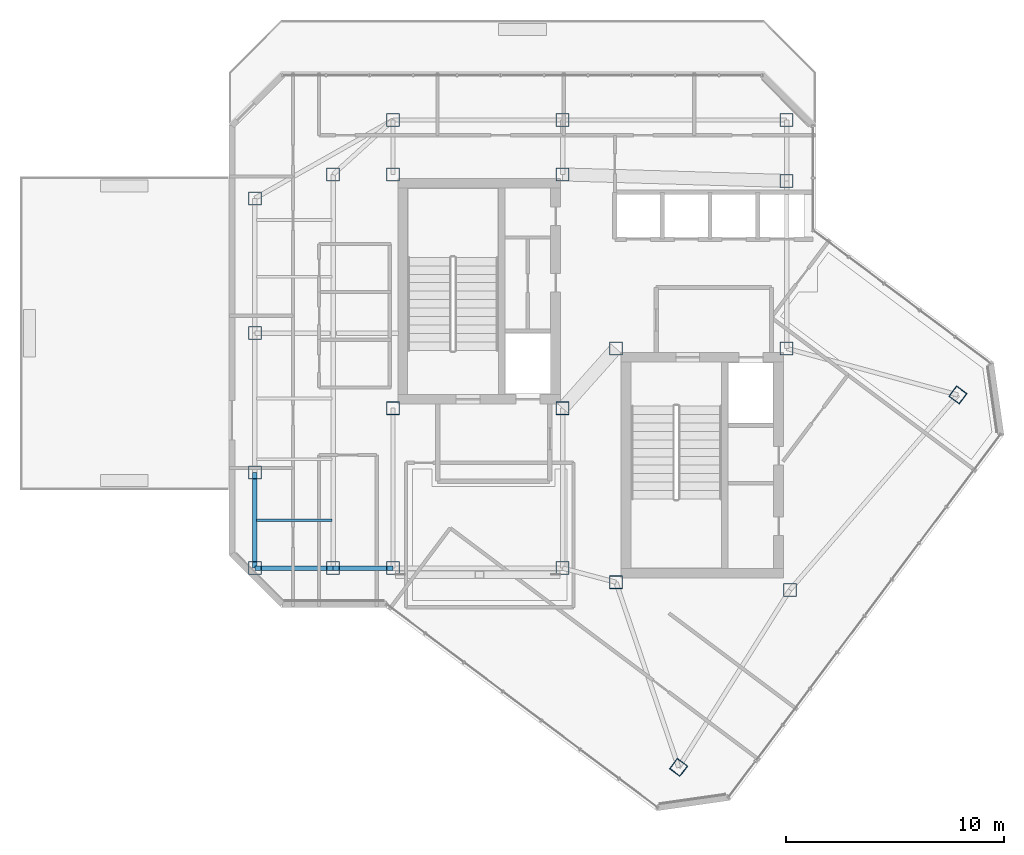
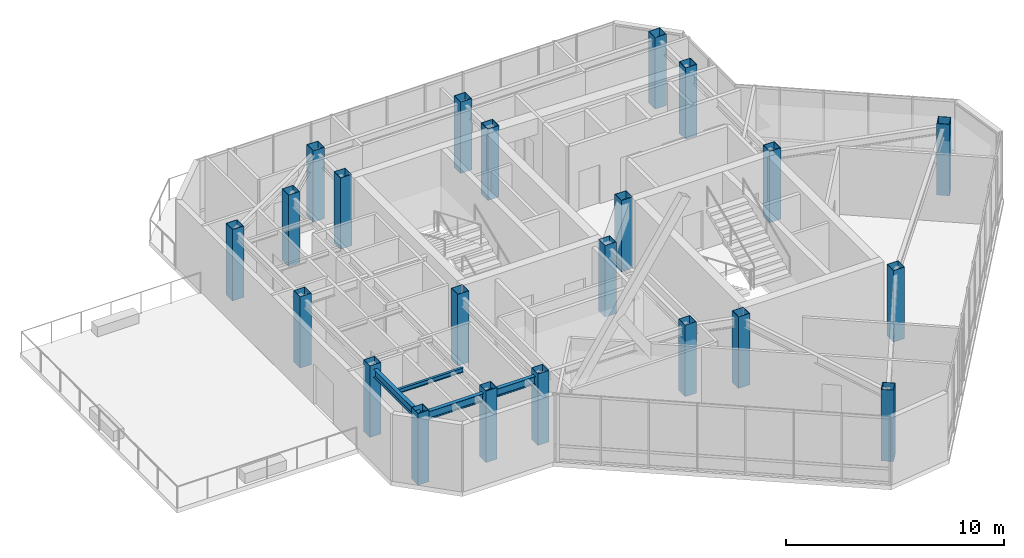
# One storey, part 1 of 21: 22 columns, 4 beams.
"""IFC4 building model written with IfcOpenShell, lengths in metres."""

from ifc_helpers import new_model, si_unit, direction, frame, origin, origin_2d, place, context, subcontext, project, spatial, hollow_rectangle, i_section, extrude, material, material_profile, profile_set, type_object, element, save


model = new_model("IFC4")

# Units and contexts
model_context = context("Model", 3, precision=1e-05, world=origin(), true_north=direction((0.0, 1.0)))
body_context = subcontext(model_context, "Body", "Model", "MODEL_VIEW")
ifc_project = project(units=[si_unit("LENGTHUNIT", "METRE"), si_unit("AREAUNIT", "SQUARE_METRE"), si_unit("VOLUMEUNIT", "CUBIC_METRE"), si_unit("PLANEANGLEUNIT", "RADIAN"), si_unit("MASSUNIT", "GRAM", prefix="KILO")], contexts=[model_context])

# Site, building, storey
site_placement = place(None, origin())
site = spatial("IfcSite", under=ifc_project, at=site_placement, CompositionType="ELEMENT")
building_placement = place(site_placement, origin())
building = spatial("IfcBuilding", under=site, at=building_placement, Name="Hatsunagi Terrace Concourse", CompositionType="ELEMENT")
storey_placement = place(building_placement, frame((0.0, 0.0, 265.949951171875)))
storey = spatial("IfcBuildingStorey", under=building, at=storey_placement, Name="L70", CompositionType="ELEMENT", Elevation=265.949951171875)

# Columns
ifc_material_1 = material(Name="Steel BCP325T", Category="steel")
ifc_material_profile_1 = material_profile(ifc_material_1, hollow_rectangle(XDim=0.60009765625, YDim=0.60009765625, WallThickness=0.02490234375, at=origin_2d()), Name="BCP-600x600x25")
ifc_profile_set_1 = profile_set([ifc_material_profile_1], Name="Steel BCP325T")
column_type = type_object("IfcColumnType", Name="CrownBoxColumn_600x600x25", PredefinedType="COLUMN", material=ifc_profile_set_1)
for number, where, z_axis, x_axis, name in (
    (1, (25.550048828125, 32.550048828125, 0.0), (0.0, 0.0, 1.0), (1.0, 0.0, 0.0), "Column C-10 L70-CASW"),
    (2, (33.35009765625, 32.550048828125, 0.0), (0.0, 0.0, 1.0), (1.0, 0.0, 0.0), "Column C-10 L70-CASE"),
    (3, (25.550048828125, 43.300048828125, 0.0), (0.0, 0.0, 1.0), (1.0, 0.0, 0.0), "Column C-10 L70-CANW"),
    (4, (33.35009765625, 43.300048828125, 0.0), (0.0, 0.0, 1.0), (1.0, 0.0, 0.0), "Column C-10 L70-CANE"),
    (5, (35.800048828125, 24.550048828125, 0.0), (0.0, 0.0, 1.0), (1.0, 0.0, 0.0), "Column C-10 L70-CBSW"),
    (6, (43.800048828125, 24.199951171875, 0.0), (0.0, 0.0, 1.0), (1.0, 0.0, 0.0), "Column C-10 L70-CBSE"),
    (7, (35.800048828125, 35.300048828125, 0.0), (0.0, 0.0, 1.0), (1.0, 0.0, 0.0), "Column C-10 L70-CBNW"),
    (8, (43.64990234375, 35.300048828125, 0.0), (0.0, 0.0, 1.0), (1.0, 0.0, 0.0), "Column C-10 L70-CBNE"),
    (9, (25.550048828125, 25.199951171875, 0.0), (0.0, 0.0, 1.0), (1.0, 0.0, 0.0), "Column C-10 L70-K1"),
    (10, (33.35009765625, 25.199951171875, 0.0), (0.0, 0.0, 1.0), (1.0, 0.0, 0.0), "Column C-10 L70-K2"),
    (11, (43.64990234375, 43.0, 0.0), (0.0, 0.0, 1.0), (1.0, 0.0, 0.0), "Column C-10 L70-K3"),
    (12, (25.550048828125, 45.800048828125, 0.0), (0.0, 0.0, 1.0), (1.0, 0.0, 0.0), "Column C-10 L70-CN1"),
    (13, (33.35009765625, 45.800048828125, 0.0), (0.0, 0.0, 1.0), (1.0, 0.0, 0.0), "Column C-10 L70-CN2"),
    (14, (43.64990234375, 45.800048828125, 0.0), (0.0, 0.0, 1.0), (1.0, 0.0, 0.0), "Column C-10 L70-CN3"),
    (15, (19.199951171875, 25.199951171875, 0.0), (0.0, 0.0, 1.0), (1.0, 0.0, 0.0), "Column C-10 L70-WS3"),
    (16, (19.199951171875, 29.60009765625, 0.0), (0.0, 0.0, 1.0), (1.0, 0.0, 0.0), "Column C-10 L70-WR1"),
    (17, (19.199951171875, 42.199951171875, 0.0), (0.0, 0.0, 1.0), (1.0, 0.0, 0.0), "Column C-10 L70-WR2"),
    (18, (22.800048828125, 25.199951171875, 0.0), (0.0, 0.0, 1.0), (1.0, 0.0, 0.0), "Column C-10 L70-CW1"),
    (19, (22.800048828125, 43.300048828125, 0.0), (0.0, 0.0, 1.0), (1.0, 0.0, 0.0), "Column C-10 L70-CW2"),
    (20, (19.199951171875, 36.0, 0.0), (0.0, 0.0, 1.0), (1.0, 0.0, 0.0), "Column C-10 L70-WT2"),
    (21, (38.679931640625, 16.0400390625, 0.0), (0.0, 0.0, 1.0), (0.799999996291, -0.600000004945, 0.0), "Column C-10 L70-SES1"),
    (22, (51.52001953125, 33.159912109375, 0.0), (0.0, 0.0, 1.0), (0.799999996291, -0.600000004945, 0.0), "Column C-10 L70-SEN1"),
):
    element("IfcColumn", number, at=place(storey_placement, frame(where, z_axis=z_axis, x_axis=x_axis)), inside=storey, type_object=column_type, Name=name, PredefinedType="COLUMN", context=body_context, shape_type="SweptSolid", body=[
        extrude(hollow_rectangle(XDim=0.60009765625, YDim=0.60009765625, WallThickness=0.02490234375, at=origin_2d()), origin(), (0.0, 0.0, 1.0), 4.0),
    ])

# Beams
ifc_material_2 = material(Name="Steel SN490B", Category="steel")
ifc_material_profile_2 = material_profile(ifc_material_2, i_section(OverallWidth=0.125, OverallDepth=0.25, WebThickness=0.006103515625, FlangeThickness=0.009033203125, FilletRadius=0.008056640625, at=origin_2d()), Name="H-250x125x6x9")
ifc_profile_set_2 = profile_set([ifc_material_profile_2], Name="Steel SN490B")
beam_type_1 = type_object("IfcBeamType", Name="CrownJoist_H_250x125", PredefinedType="JOIST", material=ifc_profile_set_2)
beam_1_placement = place(storey_placement, frame((19.264892578125, 27.39990234375, 3.625), z_axis=(1.0, 0.0, 0.0), x_axis=(0.0, 1.0, 0.0)))
element("IfcBeam", 23, at=beam_1_placement, inside=storey, type_object=beam_type_1, Name="Beam J-04 J-L70-W-19-274", PredefinedType="JOIST", context=body_context, shape_type="SweptSolid", body=[
    extrude(i_section(OverallWidth=0.125, OverallDepth=0.25, WebThickness=0.006103515625, FlangeThickness=0.009033203125, FilletRadius=0.008056640625, at=origin_2d()), origin(), (0.0, 0.0, 1.0), 3.47021484375),
])
ifc_material_3 = material(Name="Steel SN490B", Category="steel")
ifc_material_profile_3 = material_profile(ifc_material_3, i_section(OverallWidth=0.199951171875, OverallDepth=0.449951171875, WebThickness=0.009033203125, FlangeThickness=0.013916015625, FilletRadius=0.01611328125, at=origin_2d()), Name="H-450x200x9x14")
ifc_profile_set_3 = profile_set([ifc_material_profile_3], Name="Steel SN490B")
beam_type_2 = type_object("IfcBeamType", Name="PerimeterSpandrel_H_450x200", PredefinedType="SPANDREL", material=ifc_profile_set_3)
beam_2_placement = place(storey_placement, frame((19.199951171875, 25.199951171875, 3.525146484375), z_axis=(1.0, 0.0, 0.0), x_axis=(0.0, 1.0, 0.0)))
element("IfcBeam", 24, at=beam_2_placement, inside=storey, type_object=beam_type_2, Name="Beam SP-02 BM-L70-WS-19", PredefinedType="SPANDREL", context=body_context, shape_type="SweptSolid", body=[
    extrude(i_section(OverallWidth=0.199951171875, OverallDepth=0.449951171875, WebThickness=0.009033203125, FlangeThickness=0.013916015625, FilletRadius=0.01611328125, at=origin_2d()), origin(), (0.0, 0.0, 1.0), 3.60009765625),
])
beam_3_placement = place(storey_placement, frame((22.800048828125, 25.199951171875, 3.525146484375), z_axis=(1.0, 0.0, 0.0), x_axis=(0.0, 1.0, 0.0)))
element("IfcBeam", 25, at=beam_3_placement, inside=storey, type_object=beam_type_2, Name="Beam SP-02 BM-L70-WS-22", PredefinedType="SPANDREL", context=body_context, shape_type="SweptSolid", body=[
    extrude(i_section(OverallWidth=0.199951171875, OverallDepth=0.449951171875, WebThickness=0.009033203125, FlangeThickness=0.013916015625, FilletRadius=0.01611328125, at=origin_2d()), origin(), (0.0, 0.0, 1.0), 2.75),
])
beam_4_placement = place(storey_placement, frame((19.199951171875, 25.199951171875, 3.525146484375), z_axis=(0.0, 1.0, 0.0), x_axis=(-1.0, 0.0, 0.0)))
element("IfcBeam", 26, at=beam_4_placement, inside=storey, type_object=beam_type_2, Name="Beam SP-02 BM-L70-NS-19-25", PredefinedType="SPANDREL", context=body_context, shape_type="SweptSolid", body=[
    extrude(i_section(OverallWidth=0.199951171875, OverallDepth=0.449951171875, WebThickness=0.009033203125, FlangeThickness=0.013916015625, FilletRadius=0.01611328125, at=origin_2d()), origin(), (0.0, 0.0, 1.0), 4.400146484375),
])

save(model, "model.ifc")
